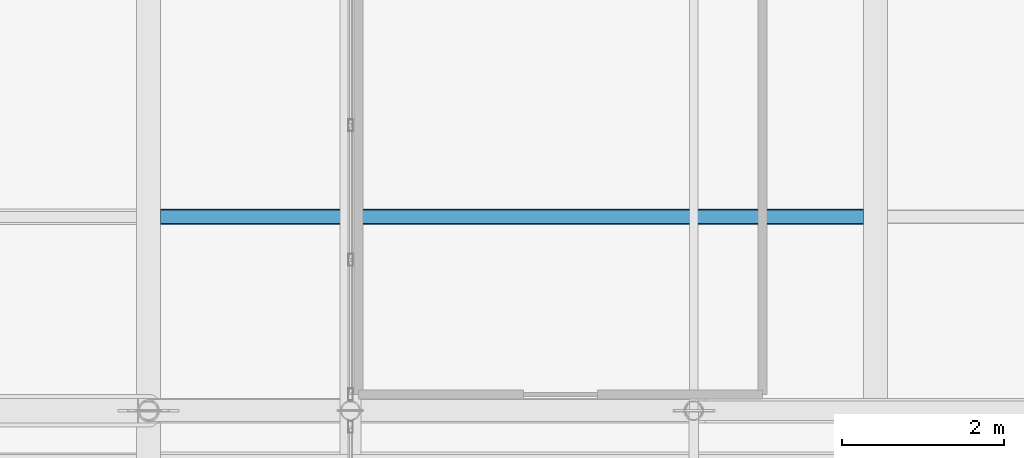
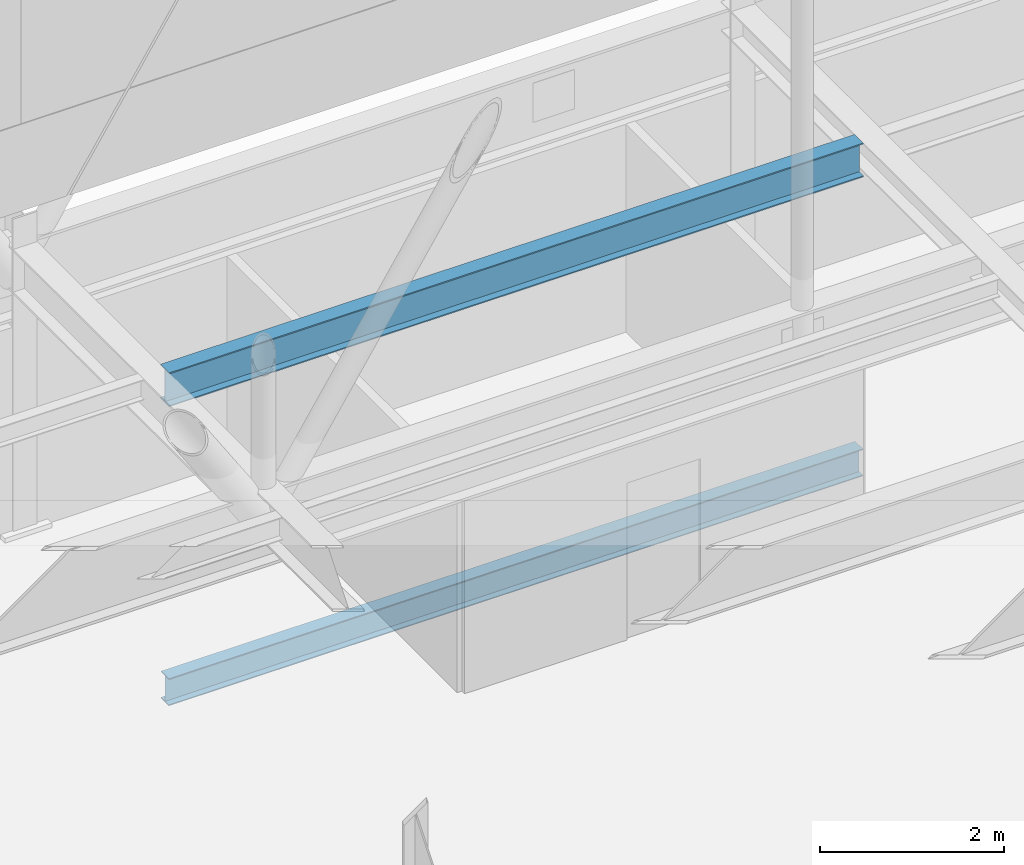
# One storey, part 62 of 84: 2 beams.
"""IFC4 building model written with IfcOpenShell, lengths in metres."""

from ifc_helpers import new_model, si_unit, direction, frame, origin, origin_2d, place, context, subcontext, project, spatial, i_section, extrude, material, material_profile, profile_set, type_object, element, save


model = new_model("IFC4")

# Units and contexts
model_context = context("Model", 3, precision=1e-05, world=origin(), true_north=direction((0.0, 1.0)))
body_context = subcontext(model_context, "Body", "Model", "MODEL_VIEW")
ifc_project = project(units=[si_unit("LENGTHUNIT", "METRE"), si_unit("AREAUNIT", "SQUARE_METRE"), si_unit("VOLUMEUNIT", "CUBIC_METRE"), si_unit("PLANEANGLEUNIT", "RADIAN"), si_unit("MASSUNIT", "GRAM", prefix="KILO")], contexts=[model_context])

# Site, building, storey
site_placement = place(None, origin())
site = spatial("IfcSite", under=ifc_project, at=site_placement, CompositionType="ELEMENT")
building_placement = place(site_placement, origin())
building = spatial("IfcBuilding", under=site, at=building_placement, Name="Sundgate Opera House", CompositionType="ELEMENT")
storey_placement = place(building_placement, frame((0.0, 0.0, 30.60009765625)))
storey = spatial("IfcBuildingStorey", under=building, at=storey_placement, Name="L06", CompositionType="ELEMENT", Elevation=30.60009765625)

# Beams
ifc_material_1 = material(Name="Steel S355J2", Category="steel")
ifc_material_profile_1 = material_profile(ifc_material_1, i_section(OverallWidth=0.169921875, OverallDepth=0.360107421875, WebThickness=0.008056640625, FlangeThickness=0.0126953125, at=origin_2d()), Name="IPE 360")
ifc_profile_set_1 = profile_set([ifc_material_profile_1], Name="Steel S355J2")
beam_type_1 = type_object("IfcBeamType", Name="BM-JS-IPE360", PredefinedType="JOIST", material=ifc_profile_set_1)
beam_1_placement = place(storey_placement, frame((54.14990234375, 84.0, -0.440185546875), z_axis=(1.0, 0.0, 0.0), x_axis=(0.0, 1.0, 0.0)))
element("IfcBeam", 1, at=beam_1_placement, inside=storey, type_object=beam_type_1, Name="L06 Secondary Floor Joist B3265", PredefinedType="JOIST", context=body_context, shape_type="SweptSolid", body=[
    extrude(i_section(OverallWidth=0.169921875, OverallDepth=0.360107421875, WebThickness=0.008056640625, FlangeThickness=0.0126953125, at=origin_2d()), origin(), (0.0, 0.0, 1.0), 8.7001953125),
])
ifc_material_2 = material(Name="Steel S355J2", Category="steel")
ifc_material_profile_2 = material_profile(ifc_material_2, i_section(OverallWidth=0.18994140625, OverallDepth=0.449951171875, WebThickness=0.009521484375, FlangeThickness=0.0146484375, at=origin_2d()), Name="IPE 450")
ifc_profile_set_2 = profile_set([ifc_material_profile_2], Name="Steel S355J2")
beam_type_2 = type_object("IfcBeamType", Name="BM-JS-IPE450", PredefinedType="JOIST", material=ifc_profile_set_2)
beam_2_placement = place(storey_placement, frame((54.14990234375, 84.0, 3.574951171875), z_axis=(1.0, 0.0, 0.0), x_axis=(0.0, 1.0, 0.0)))
element("IfcBeam", 2, at=beam_2_placement, inside=storey, type_object=beam_type_2, Name="L06 Secondary Floor Joist B3328", PredefinedType="JOIST", context=body_context, shape_type="SweptSolid", body=[
    extrude(i_section(OverallWidth=0.18994140625, OverallDepth=0.449951171875, WebThickness=0.009521484375, FlangeThickness=0.0146484375, at=origin_2d()), origin(), (0.0, 0.0, 1.0), 8.7001953125),
])

save(model, "model.ifc")
